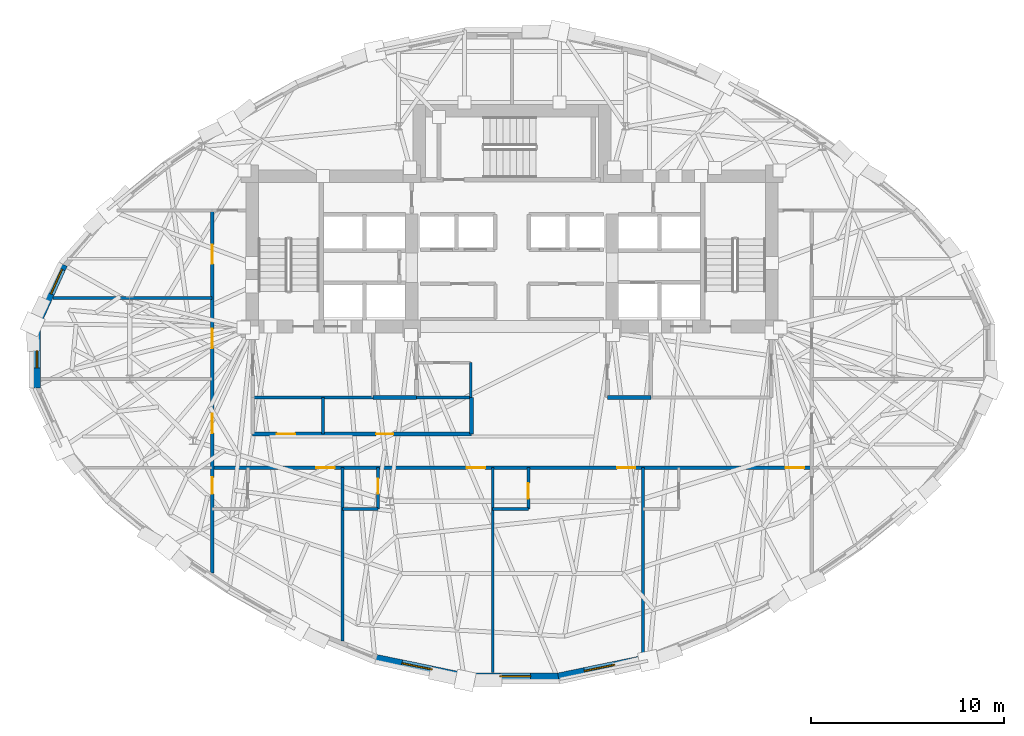
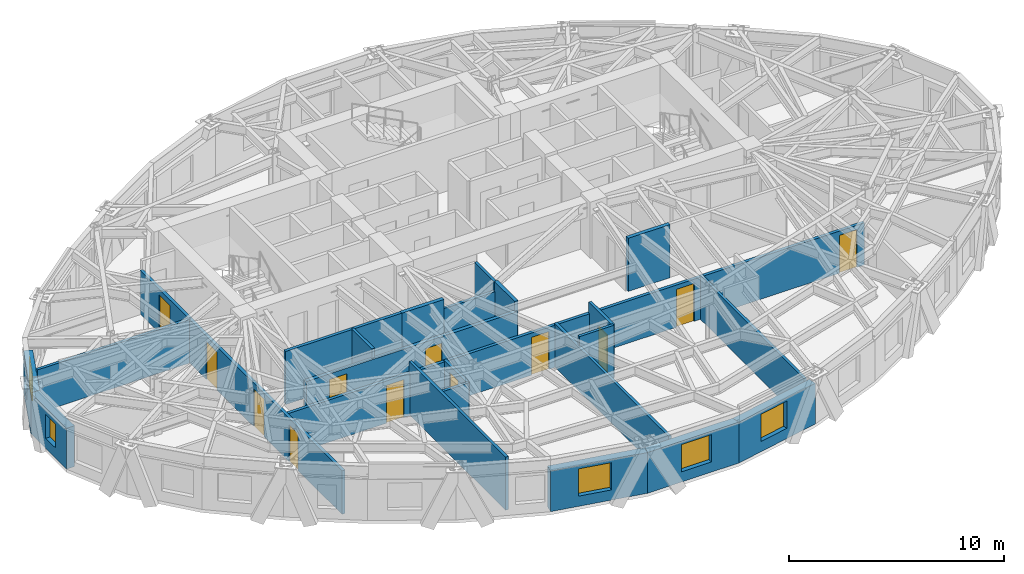
# One storey, part 6 of 14: 23 walls, 12 doors, 5 windows, 17 openings.
"""IFC4 building model written with IfcOpenShell, lengths in metres."""

from ifc_helpers import new_model, si_unit, direction, frame, frame_2d, origin, place, context, subcontext, project, spatial, rectangle, extrude, material, layer, layer_set, type_object, element, fill, save


model = new_model("IFC4")

# Units and contexts
model_context = context("Model", 3, precision=1e-05, world=origin(), true_north=direction((0.0, 1.0)))
body_context = subcontext(model_context, "Body", "Model", "MODEL_VIEW")
ifc_project = project(units=[si_unit("LENGTHUNIT", "METRE"), si_unit("AREAUNIT", "SQUARE_METRE"), si_unit("VOLUMEUNIT", "CUBIC_METRE"), si_unit("PLANEANGLEUNIT", "RADIAN"), si_unit("MASSUNIT", "GRAM", prefix="KILO")], contexts=[model_context])

# Site, building, storey
site_placement = place(None, origin())
site = spatial("IfcSite", under=ifc_project, at=site_placement, CompositionType="ELEMENT")
building_placement = place(site_placement, origin())
building = spatial("IfcBuilding", under=site, at=building_placement, Name="Keldmark Tower", CompositionType="ELEMENT")
storey_placement = place(building_placement, frame((0.0, 0.0, 182.199951171875)))
storey = spatial("IfcBuildingStorey", under=building, at=storey_placement, Name="L50", CompositionType="ELEMENT", Elevation=182.199951171875)

# Wall, openings, doors
ifc_material_1 = material(Name="Heavy Acoustic Plumbing Chase Gypsum Assembly", Category="gypsum")
ifc_layer_1 = layer(ifc_material_1, 0.18994140625)
ifc_layer_set_1 = layer_set([ifc_layer_1], Name="Heavy Acoustic Plumbing Chase Gypsum Assembly")
wall_type_1 = type_object("IfcWallType", Name="Heavy Wet Wall 190 mm", PredefinedType="PLUMBINGWALL", material=ifc_layer_set_1)
wall_1_placement = place(storey_placement, frame((-13.449951171875, -4.050048828125, 0.0), z_axis=(0.0, 0.0, 1.0), x_axis=(1.0, 0.0, 0.0)))
wall_1 = element("IfcWall", 1, at=wall_1_placement, inside=storey, type_object=wall_type_1, Name="L50 Heavy Wet Wall 190 mm SPK-W-S", PredefinedType="PLUMBINGWALL", context=body_context, shape_type="SweptSolid", body=[
    extrude(rectangle(XDim=11.349853515625, YDim=0.18994140625, at=frame_2d((5.6748046875, 0.0))), origin(), (0.0, 0.0, 1.0), 2.47314453125),
])
opening_1_placement = place(wall_1_placement, frame((1.25, 0.0, 0.0)))
opening_1 = element("IfcOpeningElement", 2, at=opening_1_placement, cuts=wall_1, Name="Opening D-AWC95", PredefinedType="OPENING", context=body_context, shape_type="SweptSolid", body=[
    extrude(rectangle(XDim=0.949951171875, YDim=2.14990234375, at=frame_2d((0.47509765625, 1.074951171875))), frame((0.0, 0.10498046875, 0.0), z_axis=(0.0, -1.0, 0.0), x_axis=(1.0, 0.0, 0.0)), (0.0, 0.0, 1.0), 0.2099609375),
])
opening_2_placement = place(wall_1_placement, frame((6.39990234375, 0.0, 0.0)))
opening_2 = element("IfcOpeningElement", 3, at=opening_2_placement, cuts=wall_1, Name="Opening D-IN090", PredefinedType="OPENING", context=body_context, shape_type="SweptSolid", body=[
    extrude(rectangle(XDim=0.89990234375, YDim=2.10009765625, at=frame_2d((0.449951171875, 1.050048828125))), frame((0.0, 0.10498046875, 0.0), z_axis=(0.0, -1.0, 0.0), x_axis=(1.0, 0.0, 0.0)), (0.0, 0.0, 1.0), 0.2099609375),
])
ifc_material_2 = material(Name="Painted Solid-Core Architectural Wood", Category="wood")
door_type_1 = type_object("IfcDoorType", Name="Accessible WC Door 950x2150", OperationType="NOTDEFINED", PredefinedType="DOOR", material=ifc_material_2)
door_1_placement = place(opening_1_placement, origin())
door_1 = element("IfcDoor", 4, at=door_1_placement, inside=storey, type_object=door_type_1, Name="L50 Accessible WC Door 950x2150 D-SPKW1-L50", OperationType="SINGLE_SWING_LEFT", OverallHeight=2.14990234375, OverallWidth=0.949951171875, PredefinedType="DOOR", context=body_context, shape_type="SweptSolid", body=[
    extrude(rectangle(XDim=0.949951171875, YDim=2.14990234375, at=frame_2d((0.47509765625, 1.074951171875))), frame((0.0, 0.02490234375, 0.0), z_axis=(0.0, -1.0, 0.0), x_axis=(1.0, 0.0, 0.0)), (0.0, 0.0, 1.0), 0.050048828125),
])
fill(opening_1, door_1)
ifc_material_3 = material(Name="Stained American White Oak Veneer", Category="wood")
door_type_2 = type_object("IfcDoorType", Name="Interior Door 900x2100", OperationType="NOTDEFINED", PredefinedType="DOOR", material=ifc_material_3)
door_2_placement = place(opening_2_placement, origin())
door_2 = element("IfcDoor", 5, at=door_2_placement, inside=storey, type_object=door_type_2, Name="L50 Interior Door 900x2100 D-SPKW2-L50", OperationType="SINGLE_SWING_RIGHT", OverallHeight=2.10009765625, OverallWidth=0.89990234375, PredefinedType="DOOR", context=body_context, shape_type="SweptSolid", body=[
    extrude(rectangle(XDim=0.89990234375, YDim=2.10009765625, at=frame_2d((0.449951171875, 1.050048828125))), frame((0.0, 0.02490234375, 0.0), z_axis=(0.0, -1.0, 0.0), x_axis=(1.0, 0.0, 0.0)), (0.0, 0.0, 1.0), 0.050048828125),
])
fill(opening_2, door_2)

# Walls
wall_2_placement = place(storey_placement, frame((-2.10009765625, -4.050048828125, 0.0), z_axis=(0.0, 0.0, 1.0), x_axis=(0.0, 1.0, 0.0)))
element("IfcWall", 6, at=wall_2_placement, inside=storey, type_object=wall_type_1, Name="L50 Heavy Wet Wall 190 mm SPK-W-E", PredefinedType="PLUMBINGWALL", context=body_context, shape_type="SweptSolid", body=[
    extrude(rectangle(XDim=1.900146484375, YDim=0.18994140625, at=frame_2d((0.9501953125, 0.0))), origin(), (0.0, 0.0, 1.0), 3.02001953125),
])
ifc_material_4 = material(Name="Acoustic Gypsum Board Interior Partition", Category="gypsum")
ifc_layer_2 = layer(ifc_material_4, 0.1298828125)
ifc_layer_set_2 = layer_set([ifc_layer_2], Name="Acoustic Gypsum Board Interior Partition")
wall_type_2 = type_object("IfcWallType", Name="Interior Partition 130 mm", PredefinedType="PARTITIONING", material=ifc_layer_set_2)
wall_3_placement = place(storey_placement, frame((-2.14990234375, -2.14990234375, 0.0), z_axis=(0.0, 0.0, 1.0), x_axis=(0.0, 1.0, 0.0)))
element("IfcWall", 7, at=wall_3_placement, inside=storey, type_object=wall_type_2, Name="L50 Interior Partition 130 mm CSC-W-E", PredefinedType="PARTITIONING", context=body_context, shape_type="SweptSolid", body=[
    extrude(rectangle(XDim=1.7998046875, YDim=0.1298828125, at=frame_2d((0.89990234375, 0.0))), origin(), (0.0, 0.0, 1.0), 3.02001953125),
])
ifc_material_5 = material(Name="Type X Fire-Rated Gypsum Partition Assembly", Category="gypsum")
ifc_layer_3 = layer(ifc_material_5, 0.1650390625)
ifc_layer_set_3 = layer_set([ifc_layer_3], Name="Type X Fire-Rated Gypsum Partition Assembly")
wall_type_3 = type_object("IfcWallType", Name="Rated Partition 165 mm", PredefinedType="PARTITIONING", material=ifc_layer_set_3)
wall_4_placement = place(storey_placement, frame((-13.449951171875, -2.14990234375, 0.0), z_axis=(0.0, 0.0, 1.0), x_axis=(1.0, 0.0, 0.0)))
element("IfcWall", 8, at=wall_4_placement, inside=storey, type_object=wall_type_3, Name="L50 Rated Partition 165 mm FSAE-W-S", PredefinedType="PARTITIONING", context=body_context, shape_type="SweptSolid", body=[
    extrude(rectangle(XDim=6.25, YDim=0.1650390625, at=frame_2d((3.125, 0.0))), origin(), (0.0, 0.0, 1.0), 3.02001953125),
])

# Wall, openings, doors
wall_5_placement = place(storey_placement, frame((-15.550048828125, -5.800048828125, 0.0), z_axis=(0.0, 0.0, 1.0), x_axis=(1.0, 0.0, 0.0)))
wall_5 = element("IfcWall", 9, at=wall_5_placement, inside=storey, type_object=wall_type_3, Name="L50 Rated Partition 165 mm HCOR-S", PredefinedType="PARTITIONING", context=body_context, shape_type="SweptSolid", body=[
    extrude(rectangle(XDim=31.10009765625, YDim=0.1650390625, at=frame_2d((15.550048828125, 0.0))), origin(), (0.0, 0.0, 1.0), 2.39794921875),
])
opening_3_placement = place(wall_5_placement, frame((5.39990234375, 0.0, 0.0)))
opening_3 = element("IfcOpeningElement", 10, at=opening_3_placement, cuts=wall_5, Name="Opening D-HT095", PredefinedType="OPENING", context=body_context, shape_type="SweptSolid", body=[
    extrude(rectangle(XDim=0.949951171875, YDim=2.14990234375, at=frame_2d((0.47509765625, 1.074951171875))), frame((0.0, 0.092529296875, 0.0), z_axis=(0.0, -1.0, 0.0), x_axis=(1.0, 0.0, 0.0)), (0.0, 0.0, 1.0), 0.18505859375),
])
opening_4_placement = place(wall_5_placement, frame((13.199951171875, 0.0, 0.0)))
opening_4 = element("IfcOpeningElement", 11, at=opening_4_placement, cuts=wall_5, Name="Opening D-HT095", PredefinedType="OPENING", context=body_context, shape_type="SweptSolid", body=[
    extrude(rectangle(XDim=0.949951171875, YDim=2.14990234375, at=frame_2d((0.47509765625, 1.074951171875))), frame((0.0, 0.092529296875, 0.0), z_axis=(0.0, -1.0, 0.0), x_axis=(1.0, 0.0, 0.0)), (0.0, 0.0, 1.0), 0.18505859375),
])
opening_5_placement = place(wall_5_placement, frame((21.0, 0.0, 0.0)))
opening_5 = element("IfcOpeningElement", 12, at=opening_5_placement, cuts=wall_5, Name="Opening D-HT095", PredefinedType="OPENING", context=body_context, shape_type="SweptSolid", body=[
    extrude(rectangle(XDim=0.949951171875, YDim=2.14990234375, at=frame_2d((0.47509765625, 1.074951171875))), frame((0.0, 0.092529296875, 0.0), z_axis=(0.0, -1.0, 0.0), x_axis=(1.0, 0.0, 0.0)), (0.0, 0.0, 1.0), 0.18505859375),
])
opening_6_placement = place(wall_5_placement, frame((29.75, 0.0, 0.0)))
opening_6 = element("IfcOpeningElement", 13, at=opening_6_placement, cuts=wall_5, Name="Opening D-HT095", PredefinedType="OPENING", context=body_context, shape_type="SweptSolid", body=[
    extrude(rectangle(XDim=0.949951171875, YDim=2.14990234375, at=frame_2d((0.47509765625, 1.074951171875))), frame((0.0, 0.092529296875, 0.0), z_axis=(0.0, -1.0, 0.0), x_axis=(1.0, 0.0, 0.0)), (0.0, 0.0, 1.0), 0.18505859375),
])
ifc_material_6 = material(Name="Solid-Core Acoustic White Oak Fire-Rated Assembly", Category="wood")
door_type_3 = type_object("IfcDoorType", Name="Hotel Entry Door 950x2150", OperationType="NOTDEFINED", PredefinedType="DOOR", material=ifc_material_6)
door_3_placement = place(opening_3_placement, origin())
door_3 = element("IfcDoor", 14, at=door_3_placement, inside=storey, type_object=door_type_3, Name="L50 Hotel Entry Door 950x2150 D-HRS1-L50", OperationType="SINGLE_SWING_RIGHT", OverallHeight=2.14990234375, OverallWidth=0.949951171875, PredefinedType="DOOR", context=body_context, shape_type="SweptSolid", body=[
    extrude(rectangle(XDim=0.949951171875, YDim=2.14990234375, at=frame_2d((0.47509765625, 1.074951171875))), frame((0.0, 0.02490234375, 0.0), z_axis=(0.0, -1.0, 0.0), x_axis=(1.0, 0.0, 0.0)), (0.0, 0.0, 1.0), 0.050048828125),
])
fill(opening_3, door_3)
door_4_placement = place(opening_4_placement, origin())
door_4 = element("IfcDoor", 15, at=door_4_placement, inside=storey, type_object=door_type_3, Name="L50 Hotel Entry Door 950x2150 D-HRS2-L50", OperationType="SINGLE_SWING_LEFT", OverallHeight=2.14990234375, OverallWidth=0.949951171875, PredefinedType="DOOR", context=body_context, shape_type="SweptSolid", body=[
    extrude(rectangle(XDim=0.949951171875, YDim=2.14990234375, at=frame_2d((0.47509765625, 1.074951171875))), frame((0.0, 0.02490234375, 0.0), z_axis=(0.0, -1.0, 0.0), x_axis=(1.0, 0.0, 0.0)), (0.0, 0.0, 1.0), 0.050048828125),
])
fill(opening_4, door_4)
door_5_placement = place(opening_5_placement, origin())
door_5 = element("IfcDoor", 16, at=door_5_placement, inside=storey, type_object=door_type_3, Name="L50 Hotel Entry Door 950x2150 D-HRS3-L50", OperationType="SINGLE_SWING_RIGHT", OverallHeight=2.14990234375, OverallWidth=0.949951171875, PredefinedType="DOOR", context=body_context, shape_type="SweptSolid", body=[
    extrude(rectangle(XDim=0.949951171875, YDim=2.14990234375, at=frame_2d((0.47509765625, 1.074951171875))), frame((0.0, 0.02490234375, 0.0), z_axis=(0.0, -1.0, 0.0), x_axis=(1.0, 0.0, 0.0)), (0.0, 0.0, 1.0), 0.050048828125),
])
fill(opening_5, door_5)
door_6_placement = place(opening_6_placement, origin())
door_6 = element("IfcDoor", 17, at=door_6_placement, inside=storey, type_object=door_type_3, Name="L50 Hotel Entry Door 950x2150 D-HRS4-L50", OperationType="SINGLE_SWING_LEFT", OverallHeight=2.14990234375, OverallWidth=0.949951171875, PredefinedType="DOOR", context=body_context, shape_type="SweptSolid", body=[
    extrude(rectangle(XDim=0.949951171875, YDim=2.14990234375, at=frame_2d((0.47509765625, 1.074951171875))), frame((0.0, 0.02490234375, 0.0), z_axis=(0.0, -1.0, 0.0), x_axis=(1.0, 0.0, 0.0)), (0.0, 0.0, 1.0), 0.050048828125),
])
fill(opening_6, door_6)

wall_6_placement = place(storey_placement, frame((-15.550048828125, -11.2568359375, 0.0), z_axis=(0.0, 0.0, 1.0), x_axis=(0.0, 1.0, 0.0)))
wall_6 = element("IfcWall", 18, at=wall_6_placement, inside=storey, type_object=wall_type_3, Name="L50 Rated Partition 165 mm HCOR-W", PredefinedType="PARTITIONING", context=body_context, shape_type="SweptSolid", body=[
    extrude(rectangle(XDim=18.806884765625, YDim=0.1650390625, at=frame_2d((9.4033203125, 0.0))), origin(), (0.0, 0.0, 1.0), 2.47314453125),
])
opening_7_placement = place(wall_6_placement, frame((4.1064453125, 0.0, 0.0)))
opening_7 = element("IfcOpeningElement", 19, at=opening_7_placement, cuts=wall_6, Name="Opening D-IN085", PredefinedType="OPENING", context=body_context, shape_type="SweptSolid", body=[
    extrude(rectangle(XDim=0.85009765625, YDim=2.10009765625, at=frame_2d((0.425048828125, 1.050048828125))), frame((0.0, 0.092529296875, 0.0), z_axis=(0.0, -1.0, 0.0), x_axis=(1.0, 0.0, 0.0)), (0.0, 0.0, 1.0), 0.18505859375),
])
opening_8_placement = place(wall_6_placement, frame((7.256591796875, 0.0, 0.0)))
opening_8 = element("IfcOpeningElement", 20, at=opening_8_placement, cuts=wall_6, Name="Opening D-FD100", PredefinedType="OPENING", context=body_context, shape_type="SweptSolid", body=[
    extrude(rectangle(XDim=1.0, YDim=2.14990234375, at=frame_2d((0.5, 1.074951171875))), frame((0.0, 0.092529296875, 0.0), z_axis=(0.0, -1.0, 0.0), x_axis=(1.0, 0.0, 0.0)), (0.0, 0.0, 1.0), 0.18505859375),
])
opening_9_placement = place(wall_6_placement, frame((11.656494140625, 0.0, 0.0)))
opening_9 = element("IfcOpeningElement", 21, at=opening_9_placement, cuts=wall_6, Name="Opening D-FD100", PredefinedType="OPENING", context=body_context, shape_type="SweptSolid", body=[
    extrude(rectangle(XDim=1.0, YDim=2.14990234375, at=frame_2d((0.5, 1.074951171875))), frame((0.0, 0.092529296875, 0.0), z_axis=(0.0, -1.0, 0.0), x_axis=(1.0, 0.0, 0.0)), (0.0, 0.0, 1.0), 0.18505859375),
])
opening_10_placement = place(wall_6_placement, frame((16.031494140625, 0.0, 0.0)))
opening_10 = element("IfcOpeningElement", 22, at=opening_10_placement, cuts=wall_6, Name="Opening D-FD100", PredefinedType="OPENING", context=body_context, shape_type="SweptSolid", body=[
    extrude(rectangle(XDim=1.0, YDim=2.14990234375, at=frame_2d((0.5, 1.074951171875))), frame((0.0, 0.092529296875, 0.0), z_axis=(0.0, -1.0, 0.0), x_axis=(1.0, 0.0, 0.0)), (0.0, 0.0, 1.0), 0.18505859375),
])
ifc_material_7 = material(Name="Hollow Metal Fire-Rated Corridor Door", Category="metal")
door_type_4 = type_object("IfcDoorType", Name="Fire Door 1000x2150", OperationType="NOTDEFINED", PredefinedType="DOOR", material=ifc_material_7)
door_7_placement = place(opening_8_placement, origin())
door_7 = element("IfcDoor", 23, at=door_7_placement, inside=storey, type_object=door_type_4, Name="L50 Fire Door 1000x2150 D-HWSP-1-L50", OperationType="SINGLE_SWING_RIGHT", OverallHeight=2.14990234375, OverallWidth=1.0, PredefinedType="DOOR", context=body_context, shape_type="SweptSolid", body=[
    extrude(rectangle(XDim=1.0, YDim=2.14990234375, at=frame_2d((0.5, 1.074951171875))), frame((0.0, 0.02490234375, 0.0), z_axis=(0.0, -1.0, 0.0), x_axis=(1.0, 0.0, 0.0)), (0.0, 0.0, 1.0), 0.050048828125),
])
fill(opening_8, door_7)
door_8_placement = place(opening_9_placement, origin())
door_8 = element("IfcDoor", 24, at=door_8_placement, inside=storey, type_object=door_type_4, Name="L50 Fire Door 1000x2150 D-HWSP-2-L50", OperationType="SINGLE_SWING_LEFT", OverallHeight=2.14990234375, OverallWidth=1.0, PredefinedType="DOOR", context=body_context, shape_type="SweptSolid", body=[
    extrude(rectangle(XDim=1.0, YDim=2.14990234375, at=frame_2d((0.5, 1.074951171875))), frame((0.0, 0.02490234375, 0.0), z_axis=(0.0, -1.0, 0.0), x_axis=(1.0, 0.0, 0.0)), (0.0, 0.0, 1.0), 0.050048828125),
])
fill(opening_9, door_8)
door_9_placement = place(opening_10_placement, origin())
door_9 = element("IfcDoor", 25, at=door_9_placement, inside=storey, type_object=door_type_4, Name="L50 Fire Door 1000x2150 D-HWSP-3-L50", OperationType="SINGLE_SWING_LEFT", OverallHeight=2.14990234375, OverallWidth=1.0, PredefinedType="DOOR", context=body_context, shape_type="SweptSolid", body=[
    extrude(rectangle(XDim=1.0, YDim=2.14990234375, at=frame_2d((0.5, 1.074951171875))), frame((0.0, 0.02490234375, 0.0), z_axis=(0.0, -1.0, 0.0), x_axis=(1.0, 0.0, 0.0)), (0.0, 0.0, 1.0), 0.050048828125),
])
fill(opening_10, door_9)
ifc_material_8 = material(Name="Painted Architectural Wood", Category="wood")
door_type_5 = type_object("IfcDoorType", Name="Interior Door 850x2100", OperationType="NOTDEFINED", PredefinedType="DOOR", material=ifc_material_8)
door_10_placement = place(opening_7_placement, origin())
door_10 = element("IfcDoor", 26, at=door_10_placement, inside=storey, type_object=door_type_5, Name="L50 Interior Door 850x2100 D-HKSW-L50", OperationType="SINGLE_SWING_LEFT", OverallHeight=2.10009765625, OverallWidth=0.85009765625, PredefinedType="DOOR", context=body_context, shape_type="SweptSolid", body=[
    extrude(rectangle(XDim=0.85009765625, YDim=2.10009765625, at=frame_2d((0.425048828125, 1.050048828125))), frame((0.0, 0.02490234375, 0.0), z_axis=(0.0, -1.0, 0.0), x_axis=(1.0, 0.0, 0.0)), (0.0, 0.0, 1.0), 0.050048828125),
])
fill(opening_7, door_10)

# Walls
ifc_material_9 = material(Name="Fire-Resistant Type X Gypsum Shaftliner Coreboard", Category="gypsum")
ifc_layer_4 = layer(ifc_material_9, 0.199951171875)
ifc_layer_set_4 = layer_set([ifc_layer_4], Name="Fire-Resistant Type X Gypsum Shaftliner Coreboard")
wall_type_4 = type_object("IfcWallType", Name="Shaft Wall 200 mm", PredefinedType="SOLIDWALL", material=ifc_layer_set_4)
for number, where, z_axis, x_axis, name in (
    (27, (-7.199951171875, -2.14990234375, 0.0), (0.0, 0.0, 1.0), (1.0, 0.0, 0.0), "L50 Shaft Wall 200 mm RIS-SW-S"),
    (28, (4.949951171875, -2.14990234375, 0.0), (0.0, 0.0, 1.0), (1.0, 0.0, 0.0), "L50 Shaft Wall 200 mm RIS-SE-S"),
):
    element("IfcWall", number, at=place(storey_placement, frame(where, z_axis=z_axis, x_axis=x_axis)), inside=storey, type_object=wall_type_4, Name=name, PredefinedType="SOLIDWALL", context=body_context, shape_type="SweptSolid", body=[
        extrude(rectangle(XDim=2.25, YDim=0.199951171875, at=frame_2d((1.125, 0.0))), origin(), (0.0, 0.0, 1.0), 3.02001953125),
    ])

# Wall, opening, window
ifc_material_10 = material(Name="Ironspot Manganese Brick and Kasota Buff Limestone Spandrel Assembly", Category="masonry")
ifc_layer_5 = layer(ifc_material_10, 0.43994140625)
ifc_layer_set_5 = layer_set([ifc_layer_5], Name="Ironspot Manganese Brick and Kasota Buff Limestone Spandrel Assembly")
wall_type_5 = type_object("IfcWallType", Name="Tower Brick Pier and Spandrel Wall 440 mm", PredefinedType="STANDARD", material=ifc_layer_set_5)
wall_7_placement = place(storey_placement, frame((-24.69970703125, 1.572265625, 0.0), z_axis=(0.0, 0.0, 1.0), x_axis=(0.410812065386, 0.911720048553, 0.0)))
wall_7 = element("IfcWall", 29, at=wall_7_placement, inside=storey, type_object=wall_type_5, Name="L50 Exterior Brick and Spandrel Wall 15", PredefinedType="STANDARD", context=body_context, shape_type="SweptSolid", body=[
    extrude(rectangle(XDim=3.47119140625, YDim=0.43994140625, at=frame_2d((1.735595703125, 0.0))), origin(), (0.0, 0.0, 1.0), 2.31494140625),
])
opening_11_placement = place(wall_7_placement, frame((1.822021484375, 0.0, 0.580078125)))
opening_11 = element("IfcOpeningElement", 30, at=opening_11_placement, cuts=wall_7, Name="Opening W-08", PredefinedType="OPENING", context=body_context, shape_type="SweptSolid", body=[
    extrude(rectangle(XDim=1.39990234375, YDim=1.550048828125, at=frame_2d((0.699951171875, 0.77490234375))), frame((0.0, 0.22998046875, 0.0), z_axis=(0.0, -1.0, 0.0), x_axis=(1.0, 0.0, 0.0)), (0.0, 0.0, 1.0), 0.4599609375),
])
ifc_material_11 = material(Name="Thermally Broken Anodized Aluminum and Triple Low-E Argon Glazing", Category="aluminium")
window_type_1 = type_object("IfcWindowType", Name="Residential Corner Punched Window 1400x1550", PartitioningType="SINGLE_PANEL", PredefinedType="WINDOW", material=ifc_material_11)
window_1_placement = place(opening_11_placement, origin())
window_1 = element("IfcWindow", 31, at=window_1_placement, inside=storey, type_object=window_type_1, Name="L50 Deep-Set Window 15", OverallHeight=1.550048828125, OverallWidth=1.39990234375, PartitioningType="SINGLE_PANEL", PredefinedType="WINDOW", context=body_context, shape_type="SweptSolid", body=[
    extrude(rectangle(XDim=1.39990234375, YDim=1.550048828125, at=frame_2d((0.699951171875, 0.77490234375))), frame((0.0, -0.010009765625, 0.0), z_axis=(0.0, -1.0, 0.0), x_axis=(1.0, 0.0, 0.0)), (0.0, 0.0, 1.0), 0.06005859375),
])
fill(opening_11, window_1)

wall_8_placement = place(storey_placement, frame((-24.680419921875, -1.66259765625, 0.0), z_axis=(0.0, 0.0, 1.0), x_axis=(0.0, 1.0, 0.0)))
wall_8 = element("IfcWall", 32, at=wall_8_placement, inside=storey, type_object=wall_type_5, Name="L50 Exterior Brick and Spandrel Wall 16", PredefinedType="STANDARD", context=body_context, shape_type="SweptSolid", body=[
    extrude(rectangle(XDim=3.3251953125, YDim=0.43994140625, at=frame_2d((1.66259765625, 0.0))), origin(), (0.0, 0.0, 1.0), 2.31494140625),
])
opening_12_placement = place(wall_8_placement, frame((1.039794921875, 0.0, 0.580078125)))
opening_12 = element("IfcOpeningElement", 33, at=opening_12_placement, cuts=wall_8, Name="Opening W-09", PredefinedType="OPENING", context=body_context, shape_type="SweptSolid", body=[
    extrude(rectangle(XDim=0.89990234375, YDim=1.35009765625, at=frame_2d((0.449951171875, 0.675048828125))), frame((0.0, 0.22998046875, 0.0), z_axis=(0.0, -1.0, 0.0), x_axis=(1.0, 0.0, 0.0)), (0.0, 0.0, 1.0), 0.4599609375),
])
ifc_material_12 = material(Name="Thermally Broken Anodized Aluminum and Triple Low-E Argon Glazing", Category="aluminium")
window_type_2 = type_object("IfcWindowType", Name="Corner Pier Deep-Set Window 900x1350", PartitioningType="SINGLE_PANEL", PredefinedType="WINDOW", material=ifc_material_12)
window_2_placement = place(opening_12_placement, origin())
window_2 = element("IfcWindow", 34, at=window_2_placement, inside=storey, type_object=window_type_2, Name="L50 Deep-Set Window 16", OverallHeight=1.35009765625, OverallWidth=0.89990234375, PartitioningType="SINGLE_PANEL", PredefinedType="WINDOW", context=body_context, shape_type="SweptSolid", body=[
    extrude(rectangle(XDim=0.89990234375, YDim=1.35009765625, at=frame_2d((0.449951171875, 0.675048828125))), frame((0.0, -0.010009765625, 0.0), z_axis=(0.0, -1.0, 0.0), x_axis=(1.0, 0.0, 0.0)), (0.0, 0.0, 1.0), 0.06005859375),
])
fill(opening_12, window_2)

wall_9_placement = place(storey_placement, frame((-2.407958984375, -16.6650390625, 0.0), z_axis=(0.0, 0.0, 1.0), x_axis=(-0.979222564836, 0.202788482206, 0.0)))
wall_9 = element("IfcWall", 35, at=wall_9_placement, inside=storey, type_object=wall_type_5, Name="L50 Exterior Brick and Spandrel Wall 23", PredefinedType="STANDARD", context=body_context, shape_type="SweptSolid", body=[
    extrude(rectangle(XDim=4.767578125, YDim=0.43994140625, at=frame_2d((2.3837890625, 0.0))), origin(), (0.0, 0.0, 1.0), 2.31494140625),
])
opening_13_placement = place(wall_9_placement, frame((1.781494140625, 0.0, 0.580078125)))
opening_13 = element("IfcOpeningElement", 36, at=opening_13_placement, cuts=wall_9, Name="Opening W-04", PredefinedType="OPENING", context=body_context, shape_type="SweptSolid", body=[
    extrude(rectangle(XDim=1.60009765625, YDim=1.550048828125, at=frame_2d((0.800048828125, 0.77490234375))), frame((0.0, 0.22998046875, 0.0), z_axis=(0.0, -1.0, 0.0), x_axis=(1.0, 0.0, 0.0)), (0.0, 0.0, 1.0), 0.4599609375),
])
ifc_material_13 = material(Name="Thermally Broken Anodized Aluminum and Triple Low-E Argon Glazing", Category="aluminium")
window_type_3 = type_object("IfcWindowType", Name="Hotel Deep-Set Operable Window 1600x1550", PartitioningType="DOUBLE_PANEL_HORIZONTAL", PredefinedType="WINDOW", material=ifc_material_13)
window_3_placement = place(opening_13_placement, origin())
window_3 = element("IfcWindow", 37, at=window_3_placement, inside=storey, type_object=window_type_3, Name="L50 Deep-Set Window 23", OverallHeight=1.550048828125, OverallWidth=1.60009765625, PartitioningType="SINGLE_PANEL", PredefinedType="WINDOW", context=body_context, shape_type="SweptSolid", body=[
    extrude(rectangle(XDim=1.60009765625, YDim=1.550048828125, at=frame_2d((0.800048828125, 0.77490234375))), frame((0.0, -0.010009765625, 0.0), z_axis=(0.0, -1.0, 0.0), x_axis=(1.0, 0.0, 0.0)), (0.0, 0.0, 1.0), 0.06005859375),
])
fill(opening_13, window_3)

wall_10_placement = place(storey_placement, frame((2.452392578125, -16.660400390625, 0.0), z_axis=(0.0, 0.0, 1.0), x_axis=(-1.0, 0.0, 0.0)))
wall_10 = element("IfcWall", 38, at=wall_10_placement, inside=storey, type_object=wall_type_5, Name="L50 Exterior Brick and Spandrel Wall 24", PredefinedType="STANDARD", context=body_context, shape_type="SweptSolid", body=[
    extrude(rectangle(XDim=4.90478515625, YDim=0.43994140625, at=frame_2d((2.452392578125, 0.0))), origin(), (0.0, 0.0, 1.0), 2.31494140625),
])
opening_14_placement = place(wall_10_placement, frame((1.480224609375, 0.0, 0.580078125)))
opening_14 = element("IfcOpeningElement", 39, at=opening_14_placement, cuts=wall_10, Name="Opening W-04", PredefinedType="OPENING", context=body_context, shape_type="SweptSolid", body=[
    extrude(rectangle(XDim=1.60009765625, YDim=1.550048828125, at=frame_2d((0.800048828125, 0.77490234375))), frame((0.0, 0.22998046875, 0.0), z_axis=(0.0, -1.0, 0.0), x_axis=(1.0, 0.0, 0.0)), (0.0, 0.0, 1.0), 0.4599609375),
])
window_4_placement = place(opening_14_placement, origin())
window_4 = element("IfcWindow", 40, at=window_4_placement, inside=storey, type_object=window_type_3, Name="L50 Deep-Set Window 24", OverallHeight=1.550048828125, OverallWidth=1.60009765625, PartitioningType="SINGLE_PANEL", PredefinedType="WINDOW", context=body_context, shape_type="SweptSolid", body=[
    extrude(rectangle(XDim=1.60009765625, YDim=1.550048828125, at=frame_2d((0.800048828125, 0.77490234375))), frame((0.0, -0.010009765625, 0.0), z_axis=(0.0, -1.0, 0.0), x_axis=(1.0, 0.0, 0.0)), (0.0, 0.0, 1.0), 0.06005859375),
])
fill(opening_14, window_4)

wall_11_placement = place(storey_placement, frame((7.076416015625, -15.6982421875, 0.0), z_axis=(0.0, 0.0, 1.0), x_axis=(-0.979222564836, -0.202788482206, 0.0)))
wall_11 = element("IfcWall", 41, at=wall_11_placement, inside=storey, type_object=wall_type_5, Name="L50 Exterior Brick and Spandrel Wall 25", PredefinedType="STANDARD", context=body_context, shape_type="SweptSolid", body=[
    extrude(rectangle(XDim=4.767578125, YDim=0.43994140625, at=frame_2d((2.3837890625, 0.0))), origin(), (0.0, 0.0, 1.0), 2.31494140625),
])
opening_15_placement = place(wall_11_placement, frame((1.781494140625, 0.0, 0.580078125)))
opening_15 = element("IfcOpeningElement", 42, at=opening_15_placement, cuts=wall_11, Name="Opening W-04", PredefinedType="OPENING", context=body_context, shape_type="SweptSolid", body=[
    extrude(rectangle(XDim=1.60009765625, YDim=1.550048828125, at=frame_2d((0.800048828125, 0.77490234375))), frame((0.0, 0.22998046875, 0.0), z_axis=(0.0, -1.0, 0.0), x_axis=(1.0, 0.0, 0.0)), (0.0, 0.0, 1.0), 0.4599609375),
])
window_5_placement = place(opening_15_placement, origin())
window_5 = element("IfcWindow", 43, at=window_5_placement, inside=storey, type_object=window_type_3, Name="L50 Deep-Set Window 25", OverallHeight=1.550048828125, OverallWidth=1.60009765625, PartitioningType="SINGLE_PANEL", PredefinedType="WINDOW", context=body_context, shape_type="SweptSolid", body=[
    extrude(rectangle(XDim=1.60009765625, YDim=1.550048828125, at=frame_2d((0.800048828125, 0.77490234375))), frame((0.0, -0.010009765625, 0.0), z_axis=(0.0, -1.0, 0.0), x_axis=(1.0, 0.0, 0.0)), (0.0, 0.0, 1.0), 0.06005859375),
])
fill(opening_15, window_5)

# Walls
ifc_material_14 = material(Name="Moisture-Resistant Gypsum Plumbing Partition", Category="gypsum")
ifc_layer_6 = layer(ifc_material_14, 0.14990234375)
ifc_layer_set_6 = layer_set([ifc_layer_6], Name="Moisture-Resistant Gypsum Plumbing Partition")
wall_type_6 = type_object("IfcWallType", Name="Wet Wall 150 mm", PredefinedType="PLUMBINGWALL", material=ifc_layer_set_6)
wall_12_placement = place(storey_placement, frame((-4.949951171875, -2.14990234375, 0.0), z_axis=(0.0, 0.0, 1.0), x_axis=(1.0, 0.0, 0.0)))
element("IfcWall", 44, at=wall_12_placement, inside=storey, type_object=wall_type_6, Name="L50 Wet Wall 150 mm SPK-W-N", PredefinedType="PLUMBINGWALL", context=body_context, shape_type="SweptSolid", body=[
    extrude(rectangle(XDim=2.849853515625, YDim=0.14990234375, at=frame_2d((1.4248046875, 0.0))), origin(), (0.0, 0.0, 1.0), 2.47314453125),
])
wall_13_placement = place(storey_placement, frame((-9.800048828125, -4.050048828125, 0.0), z_axis=(0.0, 0.0, 1.0), x_axis=(0.0, 1.0, 0.0)))
element("IfcWall", 45, at=wall_13_placement, inside=storey, type_object=wall_type_6, Name="L50 Wet Wall 150 mm SPK-W-D1", PredefinedType="PLUMBINGWALL", context=body_context, shape_type="SweptSolid", body=[
    extrude(rectangle(XDim=1.900146484375, YDim=0.14990234375, at=frame_2d((0.9501953125, 0.0))), origin(), (0.0, 0.0, 1.0), 3.02001953125),
])
wall_14_placement = place(storey_placement, frame((-8.800048828125, -14.776123046875, 0.0), z_axis=(0.0, 0.0, 1.0), x_axis=(0.0, 1.0, 0.0)))
element("IfcWall", 46, at=wall_14_placement, inside=storey, type_object=wall_type_6, Name="L50 Wet Wall 150 mm HS-DIV-1", PredefinedType="PLUMBINGWALL", context=body_context, shape_type="SweptSolid", body=[
    extrude(rectangle(XDim=8.97607421875, YDim=0.14990234375, at=frame_2d((4.488037109375, 0.0))), origin(), (0.0, 0.0, 1.0), 3.02001953125),
])
wall_15_placement = place(storey_placement, frame((-1.0, -16.4326171875, 0.0), z_axis=(0.0, 0.0, 1.0), x_axis=(0.0, 1.0, 0.0)))
element("IfcWall", 47, at=wall_15_placement, inside=storey, type_object=wall_type_6, Name="L50 Wet Wall 150 mm HS-DIV-2", PredefinedType="PLUMBINGWALL", context=body_context, shape_type="SweptSolid", body=[
    extrude(rectangle(XDim=10.632568359375, YDim=0.14990234375, at=frame_2d((5.31640625, 0.0))), origin(), (0.0, 0.0, 1.0), 2.47314453125),
])
wall_16_placement = place(storey_placement, frame((6.800048828125, -15.522705078125, 0.0), z_axis=(0.0, 0.0, 1.0), x_axis=(0.0, 1.0, 0.0)))
element("IfcWall", 48, at=wall_16_placement, inside=storey, type_object=wall_type_6, Name="L50 Wet Wall 150 mm HS-DIV-3", PredefinedType="PLUMBINGWALL", context=body_context, shape_type="SweptSolid", body=[
    extrude(rectangle(XDim=9.72265625, YDim=0.14990234375, at=frame_2d((4.861328125, 0.0))), origin(), (0.0, 0.0, 1.0), 2.47314453125),
])

# Wall, opening, door
wall_17_placement = place(storey_placement, frame((-6.949951171875, -7.949951171875, 0.0), z_axis=(0.0, 0.0, 1.0), x_axis=(0.0, 1.0, 0.0)))
wall_17 = element("IfcWall", 49, at=wall_17_placement, inside=storey, type_object=wall_type_6, Name="L50 Wet Wall 150 mm HB-S2-E", PredefinedType="PLUMBINGWALL", context=body_context, shape_type="SweptSolid", body=[
    extrude(rectangle(XDim=2.14990234375, YDim=0.14990234375, at=frame_2d((1.074951171875, 0.0))), origin(), (0.0, 0.0, 1.0), 2.47314453125),
])
opening_16_placement = place(wall_17_placement, frame((0.7900390625, 0.0, 0.0)))
opening_16 = element("IfcOpeningElement", 50, at=opening_16_placement, cuts=wall_17, Name="Opening D-BT080", PredefinedType="OPENING", context=body_context, shape_type="SweptSolid", body=[
    extrude(rectangle(XDim=0.800048828125, YDim=2.10009765625, at=frame_2d((0.39990234375, 1.050048828125))), frame((0.0, 0.0849609375, 0.0), z_axis=(0.0, -1.0, 0.0), x_axis=(1.0, 0.0, 0.0)), (0.0, 0.0, 1.0), 0.169921875),
])
ifc_material_15 = material(Name="Moisture-Sealed Stained Wood", Category="wood")
door_type_6 = type_object("IfcDoorType", Name="Bathroom Door 800x2100", OperationType="NOTDEFINED", PredefinedType="DOOR", material=ifc_material_15)
door_11_placement = place(opening_16_placement, origin())
door_11 = element("IfcDoor", 51, at=door_11_placement, inside=storey, type_object=door_type_6, Name="L50 Bathroom Door 800x2100 D-HBS2-L50", OperationType="SINGLE_SWING_RIGHT", OverallHeight=2.10009765625, OverallWidth=0.800048828125, PredefinedType="DOOR", context=body_context, shape_type="SweptSolid", body=[
    extrude(rectangle(XDim=0.800048828125, YDim=2.10009765625, at=frame_2d((0.39990234375, 1.050048828125))), frame((0.0, 0.02490234375, 0.0), z_axis=(0.0, -1.0, 0.0), x_axis=(1.0, 0.0, 0.0)), (0.0, 0.0, 1.0), 0.050048828125),
])
fill(opening_16, door_11)

# Wall
wall_18_placement = place(storey_placement, frame((-8.800048828125, -7.949951171875, 0.0), z_axis=(0.0, 0.0, 1.0), x_axis=(1.0, 0.0, 0.0)))
element("IfcWall", 52, at=wall_18_placement, inside=storey, type_object=wall_type_6, Name="L50 Wet Wall 150 mm HB-S2-S", PredefinedType="PLUMBINGWALL", context=body_context, shape_type="SweptSolid", body=[
    extrude(rectangle(XDim=1.85009765625, YDim=0.14990234375, at=frame_2d((0.925048828125, 0.0))), origin(), (0.0, 0.0, 1.0), 2.47314453125),
])

# Wall, opening, door
wall_19_placement = place(storey_placement, frame((0.85009765625, -7.949951171875, 0.0), z_axis=(0.0, 0.0, 1.0), x_axis=(0.0, 1.0, 0.0)))
wall_19 = element("IfcWall", 53, at=wall_19_placement, inside=storey, type_object=wall_type_6, Name="L50 Wet Wall 150 mm HB-S3-E", PredefinedType="PLUMBINGWALL", context=body_context, shape_type="SweptSolid", body=[
    extrude(rectangle(XDim=2.14990234375, YDim=0.14990234375, at=frame_2d((1.074951171875, 0.0))), origin(), (0.0, 0.0, 1.0), 3.02001953125),
])
opening_17_placement = place(wall_19_placement, frame((0.550048828125, 0.0, 0.0)))
opening_17 = element("IfcOpeningElement", 54, at=opening_17_placement, cuts=wall_19, Name="Opening D-BT080", PredefinedType="OPENING", context=body_context, shape_type="SweptSolid", body=[
    extrude(rectangle(XDim=0.800048828125, YDim=2.10009765625, at=frame_2d((0.39990234375, 1.050048828125))), frame((0.0, 0.0849609375, 0.0), z_axis=(0.0, -1.0, 0.0), x_axis=(1.0, 0.0, 0.0)), (0.0, 0.0, 1.0), 0.169921875),
])
door_12_placement = place(opening_17_placement, origin())
door_12 = element("IfcDoor", 55, at=door_12_placement, inside=storey, type_object=door_type_6, Name="L50 Bathroom Door 800x2100 D-HBS3-L50", OperationType="SINGLE_SWING_RIGHT", OverallHeight=2.10009765625, OverallWidth=0.800048828125, PredefinedType="DOOR", context=body_context, shape_type="SweptSolid", body=[
    extrude(rectangle(XDim=0.800048828125, YDim=2.10009765625, at=frame_2d((0.39990234375, 1.050048828125))), frame((0.0, 0.02490234375, 0.0), z_axis=(0.0, -1.0, 0.0), x_axis=(1.0, 0.0, 0.0)), (0.0, 0.0, 1.0), 0.050048828125),
])
fill(opening_17, door_12)

# Walls
wall_20_placement = place(storey_placement, frame((-1.0, -7.949951171875, 0.0), z_axis=(0.0, 0.0, 1.0), x_axis=(1.0, 0.0, 0.0)))
element("IfcWall", 56, at=wall_20_placement, inside=storey, type_object=wall_type_6, Name="L50 Wet Wall 150 mm HB-S3-S", PredefinedType="PLUMBINGWALL", context=body_context, shape_type="SweptSolid", body=[
    extrude(rectangle(XDim=1.85009765625, YDim=0.14990234375, at=frame_2d((0.925048828125, 0.0))), origin(), (0.0, 0.0, 1.0), 3.02001953125),
])
wall_21_placement = place(storey_placement, frame((-23.806396484375, 3.0, 0.0), z_axis=(0.0, 0.0, 1.0), x_axis=(1.0, 0.0, 0.0)))
element("IfcWall", 57, at=wall_21_placement, inside=storey, type_object=wall_type_6, Name="L50 Wet Wall 150 mm HW-DIV-2", PredefinedType="PLUMBINGWALL", context=body_context, shape_type="SweptSolid", body=[
    extrude(rectangle(XDim=8.25634765625, YDim=0.14990234375, at=frame_2d((4.128173828125, 0.0))), origin(), (0.0, 0.0, 1.0), 2.47314453125),
])

save(model, "model.ifc")
